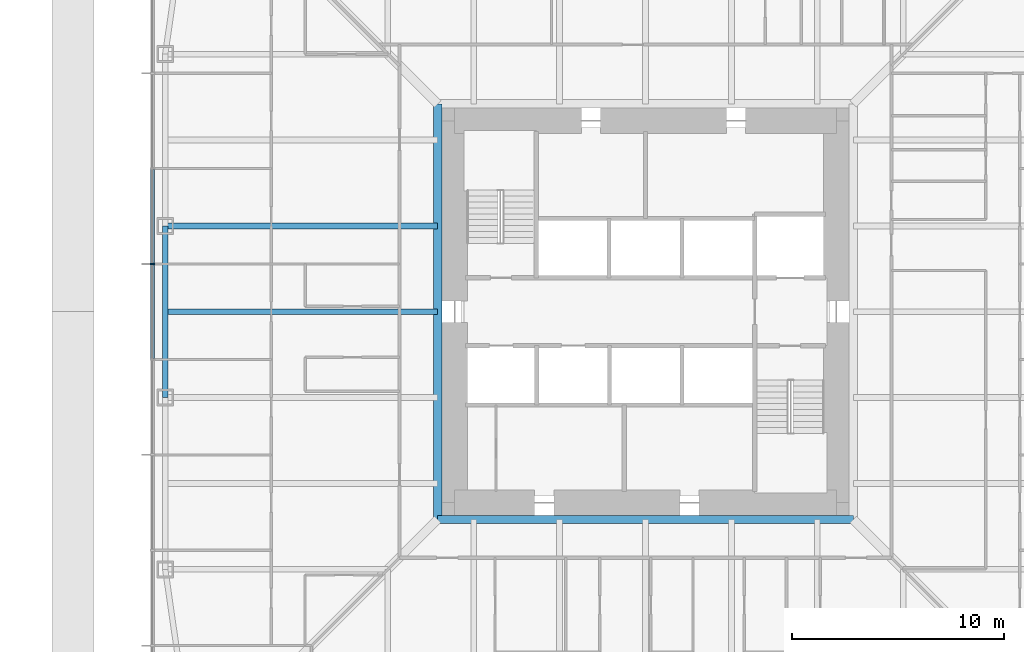
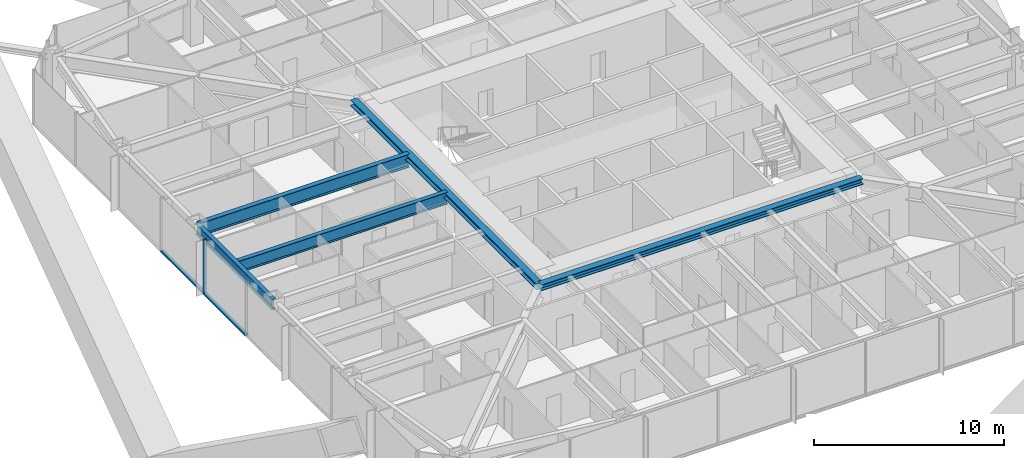
# One storey, part 4 of 28: 5 beams, 3 members, 1 element without a shape of its own.
"""IFC4 building model written with IfcOpenShell, lengths in metres."""

import ifcopenshell
import ifcopenshell.guid

model = None  # the IFC model being written
_history = None  # IfcOwnerHistory: only IFC2X3 demands one
_inside = {}  # id of a spatial element -> (the spatial element, [elements in it])
_under = {}  # id of a project, library or spatial element -> (it, [spatial elements below it])
_declared = {}  # id of a project -> (the project, [libraries it declares])
_typed = {}  # id of a type object -> (the type object, [elements of that type])
_made_of = {}  # id of a material, layer set ... -> (it, [elements and type objects made of it])


def new_model(schema):
    """Start an empty IFC model of exactly this schema.

    Asked for "IFC4X3", IfcOpenShell would pick the latest addendum, in which some entities
    have other attributes; the version numbers below select the first issue.
    IFC2X3 requires an IfcOwnerHistory on every rooted entity: one is made here for all.
    """
    global model, _history
    if schema == "IFC4X3":
        model = ifcopenshell.file(schema_version=(4, 3, 0, 0))
    else:
        model = ifcopenshell.file(schema=schema)
    _inside.clear()
    _under.clear()
    _declared.clear()
    _typed.clear()
    _made_of.clear()
    _history = None
    if model.schema == "IFC2X3":
        org = make("IfcOrganization", Name="unknown")
        user = make(
            "IfcPersonAndOrganization",
            ThePerson=make("IfcPerson", FamilyName="unknown"),
            TheOrganization=org,
        )
        app = make(
            "IfcApplication",
            ApplicationDeveloper=org,
            Version="unknown",
            ApplicationFullName="unknown",
            ApplicationIdentifier="unknown",
        )
        _history = make(
            "IfcOwnerHistory",
            OwningUser=user,
            OwningApplication=app,
            ChangeAction="ADDED",
            CreationDate=0,
        )
    return model


def make(cls, **values):
    """One entity of the class cls with the attributes given. An attribute that is None is left unset."""
    return model.create_entity(
        cls, **{name: value for name, value in values.items() if value is not None}
    )


def rooted(cls, **values):
    """An entity with a GlobalId (a new one), such as an element, a storey or a relation."""
    return make(cls, GlobalId=ifcopenshell.guid.new(), OwnerHistory=_history, **values)


def si_unit(unit_type, name, prefix=None):
    """IfcSIUnit, for example si_unit("LENGTHUNIT", "METRE", prefix="MILLI")."""
    return make("IfcSIUnit", UnitType=unit_type, Prefix=prefix, Name=name)


def assignment(units):
    """IfcUnitAssignment: the units of a project."""
    return None if units is None else make("IfcUnitAssignment", Units=units)


def point(xyz):
    """IfcCartesianPoint."""
    return None if xyz is None else make("IfcCartesianPoint", Coordinates=xyz)


def direction(xyz):
    """IfcDirection."""
    return None if xyz is None else make("IfcDirection", DirectionRatios=xyz)


def frame(location, z_axis=None, x_axis=None):
    """IfcAxis2Placement3D, a coordinate frame: its origin and axes. An axis left out is left unset."""
    return make(
        "IfcAxis2Placement3D",
        Location=point(location),
        Axis=direction(z_axis),
        RefDirection=direction(x_axis),
    )


def frame_2d(location, x_axis=None):
    """IfcAxis2Placement2D, a coordinate frame in the plane: its origin and x axis."""
    return make(
        "IfcAxis2Placement2D", Location=point(location), RefDirection=direction(x_axis)
    )


def origin():
    """The frame at (0, 0, 0) with its axes left unset."""
    return frame((0.0, 0.0, 0.0))


def origin_2d():
    """The frame at (0, 0) in the plane with its x axis left unset."""
    return frame_2d((0.0, 0.0))


def place(relative_to, where):
    """IfcLocalPlacement: puts the frame where relative to a parent placement (None: the world)."""
    return make(
        "IfcLocalPlacement", PlacementRelTo=relative_to, RelativePlacement=where
    )


def context(
    kind, dimensions, precision=None, world=None, true_north=None, identifier=None
):
    """IfcGeometricRepresentationContext, for example the 3D "Model" context."""
    return make(
        "IfcGeometricRepresentationContext",
        ContextIdentifier=identifier,
        ContextType=kind,
        CoordinateSpaceDimension=dimensions,
        Precision=precision,
        WorldCoordinateSystem=world,
        TrueNorth=true_north,
    )


def subcontext(parent, identifier, kind, view, scale=None):
    """IfcGeometricRepresentationSubContext, for example "Body" below "Model"."""
    return make(
        "IfcGeometricRepresentationSubContext",
        ContextIdentifier=identifier,
        ContextType=kind,
        ParentContext=parent,
        TargetScale=scale,
        TargetView=view,
    )


def project(units=None, contexts=None):
    """IfcProject with its units and contexts."""
    return rooted(
        "IfcProject",
        Name="project",
        RepresentationContexts=contexts,
        UnitsInContext=assignment(units),
    )


def spatial(cls, under=None, at=None, **own):
    """A site, building, storey or space (cls), placed at a placement, below another one or the project."""
    s = rooted(cls, ObjectPlacement=at, **own)
    if under is not None:
        _under.setdefault(under.id(), (under, []))[1].append(s)
    return s


def profile(cls, at=None, kind="AREA", **sizes):
    """A parametric profile (cls). Its sizes go by their IFC names, for example OverallWidth=200.0."""
    return make(cls, ProfileType=kind, Position=at, **sizes)


def rectangle(**sizes):
    """IfcRectangleProfileDef."""
    return profile("IfcRectangleProfileDef", **sizes)


def i_section(**sizes):
    """IfcIShapeProfileDef."""
    return profile("IfcIShapeProfileDef", **sizes)


def extrude(swept, where, along, depth):
    """IfcExtrudedAreaSolid: the profile swept, set in the frame where, extruded along a direction by depth."""
    return make(
        "IfcExtrudedAreaSolid",
        SweptArea=swept,
        Position=where,
        ExtrudedDirection=direction(along),
        Depth=depth,
    )


def shape(context_of_items, identifier, shape_type, items):
    """IfcShapeRepresentation: the items that make up one representation, for example the "Body"."""
    return make(
        "IfcShapeRepresentation",
        ContextOfItems=context_of_items,
        RepresentationIdentifier=identifier,
        RepresentationType=shape_type,
        Items=items,
    )


def material(Name=None, Category=None):
    """IfcMaterial."""
    return make("IfcMaterial", Name=Name, Category=Category)


def material_profile(
    of_material, cross_section, Name=None, Category=None, Priority=None
):
    """IfcMaterialProfile: a cross section and its material."""
    return make(
        "IfcMaterialProfile",
        Name=Name,
        Material=of_material,
        Profile=cross_section,
        Priority=Priority,
        Category=Category,
    )


def profile_set(profiles, Name=None, composite=None):
    """IfcMaterialProfileSet."""
    return make(
        "IfcMaterialProfileSet",
        Name=Name,
        MaterialProfiles=profiles,
        CompositeProfile=composite,
    )


def made_of(thing, what):
    """Note that an element or type object is made of a material, layer set ...; save() writes the relation."""
    if what is not None:
        _made_of.setdefault(what.id(), (what, []))[1].append(thing)
    return thing


def type_object(cls, material=None, **own):
    """A type object (cls), such as IfcWallType, which elements share."""
    return made_of(rooted(cls, **own), material)


def element(
    cls,
    number,
    at=None,
    inside=None,
    cuts=None,
    type_object=None,
    material=None,
    context=None,
    identifier="Body",
    shape_type=None,
    held_by="IfcProductDefinitionShape",
    body=None,
    shapes=None,
    **own,
):
    """One element of the class cls, such as IfcWall. Its Tag is "e" and its number.

    at: its placement. inside: the storey or other place that contains it. cuts: it is an
    opening in that element (IfcRelVoidsElement). A single representation is given by context,
    identifier, shape_type and body (its items); several are given by shapes. held_by: the class
    of the entity that holds the representations. save() writes the other relations.
    """
    e = rooted(cls, Tag="e%d" % number, ObjectPlacement=at, **own)
    if body is not None:
        shapes = [shape(context, identifier, shape_type, body)]
    if shapes is not None:
        e.Representation = make(held_by, Representations=shapes)
    if inside is not None:
        _inside.setdefault(inside.id(), (inside, []))[1].append(e)
    if cuts is not None:
        rooted(
            "IfcRelVoidsElement", RelatingBuildingElement=cuts, RelatedOpeningElement=e
        )
    if type_object is not None:
        _typed.setdefault(type_object.id(), (type_object, []))[1].append(e)
    return made_of(e, material)


def aggregate(whole, parts):
    """IfcRelAggregates: a whole, such as a stair, and the parts it consists of."""
    return rooted("IfcRelAggregates", RelatingObject=whole, RelatedObjects=parts)


def save(model, path):
    """Write the relations noted so far, then the file.

    IfcRelAggregates (storeys below a building ...), IfcRelContainedInSpatialStructure (elements
    in a storey), IfcRelDefinesByType, IfcRelAssociatesMaterial and IfcRelDeclares: one each for
    every whole, place, type object, material and project.
    """
    for whole, parts in _under.values():
        aggregate(whole, parts)
    for where, things in _inside.values():
        rooted(
            "IfcRelContainedInSpatialStructure",
            RelatedElements=things,
            RelatingStructure=where,
        )
    for kind, things in _typed.values():
        rooted("IfcRelDefinesByType", RelatedObjects=things, RelatingType=kind)
    for what, things in _made_of.values():
        rooted("IfcRelAssociatesMaterial", RelatedObjects=things, RelatingMaterial=what)
    for by, libraries in _declared.values():
        rooted("IfcRelDeclares", RelatingContext=by, RelatedDefinitions=libraries)
    model.write(path)


model = new_model("IFC4")

# Units and contexts
model_context = context("Model", 3, precision=1e-05, world=origin(), true_north=direction((0.0, 1.0)))
body_context = subcontext(model_context, "Body", "Model", "MODEL_VIEW")
ifc_project = project(units=[si_unit("LENGTHUNIT", "METRE"), si_unit("AREAUNIT", "SQUARE_METRE"), si_unit("VOLUMEUNIT", "CUBIC_METRE"), si_unit("PLANEANGLEUNIT", "RADIAN"), si_unit("MASSUNIT", "GRAM", prefix="KILO")], contexts=[model_context])

# Site, building, storey
site_placement = place(None, origin())
site = spatial("IfcSite", under=ifc_project, at=site_placement, CompositionType="ELEMENT")
building_placement = place(site_placement, origin())
building = spatial("IfcBuilding", under=site, at=building_placement, Name="Iwan Alto Co-Living Towers", CompositionType="ELEMENT")
storey_placement = place(building_placement, frame((0.0, 0.0, 64.0)))
storey = spatial("IfcBuildingStorey", under=building, at=storey_placement, Name="L17", CompositionType="ELEMENT", Elevation=64.0)

# Curtain wall, members
ifc_material_1 = material(Name="Bronze aluminium unitised frame", Category="aluminium")
curtain_wall_type = type_object("IfcCurtainWallType", Name="CURTAIN WALL CW-A", PredefinedType="NOTDEFINED", material=ifc_material_1)
curtain_wall_placement = place(storey_placement, origin())
curtain_wall = element("IfcCurtainWall", 1, at=curtain_wall_placement, inside=storey, type_object=curtain_wall_type, Name="T1 curtain wall W L17", PredefinedType="NOTDEFINED")
ifc_material_2 = material(Name="Aluminium 6063-T6 bronze anodised", Category="aluminium")
ifc_material_profile_1 = material_profile(ifc_material_2, rectangle(XDim=0.199951171875, YDim=0.080078125, at=origin_2d()), Name="AL 80X200")
ifc_profile_set_1 = profile_set([ifc_material_profile_1], Name="Aluminium 6063-T6 bronze anodised")
member_type_1 = type_object("IfcMemberType", Name="CW-A MULLION 80X200", PredefinedType="MULLION", material=ifc_profile_set_1)
member_1_placement = place(storey_placement, frame((-23.25, 2.25, 0.0), z_axis=(0.0, 0.0, 1.0), x_axis=(1.0, 0.0, 0.0)))
member_1 = element("IfcMember", 2, at=member_1_placement, type_object=member_type_1, Name="CW-A mullion 5", PredefinedType="MULLION", context=body_context, shape_type="SweptSolid", body=[
    extrude(rectangle(XDim=0.199951171875, YDim=0.080078125, at=origin_2d()), origin(), (0.0, 0.0, 1.0), 3.5),
])
ifc_material_3 = material(Name="Aluminium 6063-T6 bronze anodised", Category="aluminium")
ifc_material_profile_2 = material_profile(ifc_material_3, rectangle(XDim=0.199951171875, YDim=0.10009765625, at=origin_2d()), Name="AL 200X100")
ifc_profile_set_2 = profile_set([ifc_material_profile_2], Name="Aluminium 6063-T6 bronze anodised")
member_type_2 = type_object("IfcMemberType", Name="CW-A TRANSOM 200X100", PredefinedType="USERDEFINED", material=ifc_profile_set_2)
member_2_placement = place(storey_placement, frame((-23.25, 6.7099609375, 0.050048828125), z_axis=(0.0, -1.0, 0.0), x_axis=(1.0, 0.0, 0.0)))
member_2 = element("IfcMember", 3, at=member_2_placement, type_object=member_type_2, Name="CW-A transom 4.1", ObjectType="TRANSOM", PredefinedType="USERDEFINED", context=body_context, shape_type="SweptSolid", body=[
    extrude(rectangle(XDim=0.199951171875, YDim=0.10009765625, at=origin_2d()), origin(), (0.0, 0.0, 1.0), 4.419921875),
])
member_3_placement = place(storey_placement, frame((-23.25, 2.2099609375, 0.050048828125), z_axis=(0.0, -1.0, 0.0), x_axis=(1.0, 0.0, 0.0)))
member_3 = element("IfcMember", 4, at=member_3_placement, type_object=member_type_2, Name="CW-A transom 5.1", ObjectType="TRANSOM", PredefinedType="USERDEFINED", context=body_context, shape_type="SweptSolid", body=[
    extrude(rectangle(XDim=0.199951171875, YDim=0.10009765625, at=origin_2d()), origin(), (0.0, 0.0, 1.0), 4.419921875),
])
aggregate(curtain_wall, [member_1, member_2, member_3])

# Beams
ifc_material_4 = material(Name="Steel ASTM A992 Gr 50", Category="steel")
ifc_material_profile_3 = material_profile(ifc_material_4, i_section(OverallWidth=0.398681640625, OverallDepth=0.385986328125, WebThickness=0.02099609375, FlangeThickness=0.033203125, at=origin_2d()), Name="W14X176")
ifc_profile_set_3 = profile_set([ifc_material_profile_3], Name="Steel ASTM A992 Gr 50")
beam_type_1 = type_object("IfcBeamType", Name="T1 CORE LEDGER BEAM W14X176", PredefinedType="BEAM", material=ifc_profile_set_3)
for number, where, z_axis, x_axis, name in (
    (5, (-9.79931640625, -9.79931640625, 3.076904296875), (1.0, 0.0, 0.0), (0.0, 1.0, 0.0), "T1 core ledger beam S L18"),
    (6, (-9.79931640625, 9.79931640625, 3.076904296875), (0.0, -1.0, 0.0), (1.0, 0.0, 0.0), "T1 core ledger beam W L18"),
):
    element("IfcBeam", number, at=place(storey_placement, frame(where, z_axis=z_axis, x_axis=x_axis)), inside=storey, type_object=beam_type_1, Name=name, PredefinedType="BEAM", context=body_context, shape_type="SweptSolid", body=[
        extrude(i_section(OverallWidth=0.398681640625, OverallDepth=0.385986328125, WebThickness=0.02099609375, FlangeThickness=0.033203125, at=origin_2d()), origin(), (0.0, 0.0, 1.0), 19.5986328125),
    ])
ifc_material_5 = material(Name="Steel ASTM A992 Gr 50", Category="steel")
ifc_material_profile_4 = material_profile(ifc_material_5, i_section(OverallWidth=0.25390625, OverallDepth=0.683349609375, WebThickness=0.012451171875, FlangeThickness=0.018798828125, at=origin_2d()), Name="W27X94")
ifc_profile_set_4 = profile_set([ifc_material_profile_4], Name="Steel ASTM A992 Gr 50")
beam_type_2 = type_object("IfcBeamType", Name="T1 EDGE BEAM W27X94", PredefinedType="BEAM", material=ifc_profile_set_4)
beam_1_placement = place(storey_placement, frame((-22.64990234375, 4.050048828125, 2.928466796875), z_axis=(0.0, -1.0, 0.0), x_axis=(1.0, 0.0, 0.0)))
element("IfcBeam", 7, at=beam_1_placement, inside=storey, type_object=beam_type_2, Name="T1 edge beam W2 L18", PredefinedType="BEAM", context=body_context, shape_type="SweptSolid", body=[
    extrude(i_section(OverallWidth=0.25390625, OverallDepth=0.683349609375, WebThickness=0.012451171875, FlangeThickness=0.018798828125, at=origin_2d()), origin(), (0.0, 0.0, 1.0), 8.10009765625),
])
ifc_material_6 = material(Name="Steel ASTM A992 Gr 50", Category="steel")
ifc_material_profile_5 = material_profile(ifc_material_6, i_section(OverallWidth=0.2919921875, OverallDepth=0.8408203125, WebThickness=0.0146484375, FlangeThickness=0.021728515625, at=origin_2d()), Name="W33X130")
ifc_profile_set_5 = profile_set([ifc_material_profile_5], Name="Steel ASTM A992 Gr 50")
beam_type_3 = type_object("IfcBeamType", Name="T1 RADIAL BEAM W33X130", PredefinedType="BEAM", material=ifc_profile_set_5)
beam_2_placement = place(storey_placement, frame((-22.64990234375, 4.050048828125, 2.849609375), z_axis=(1.0, 0.0, 0.0), x_axis=(0.0, 1.0, 0.0)))
element("IfcBeam", 8, at=beam_2_placement, inside=storey, type_object=beam_type_3, Name="T1 radial beam W2 L18", PredefinedType="BEAM", context=body_context, shape_type="SweptSolid", body=[
    extrude(i_section(OverallWidth=0.2919921875, OverallDepth=0.8408203125, WebThickness=0.0146484375, FlangeThickness=0.021728515625, at=origin_2d()), origin(), (0.0, 0.0, 1.0), 12.8505859375),
])
ifc_material_7 = material(Name="Steel ASTM A992 Gr 50", Category="steel")
ifc_material_profile_6 = material_profile(ifc_material_7, i_section(OverallWidth=0.2666015625, OverallDepth=0.761962890625, WebThickness=0.014404296875, FlangeThickness=0.021484375, at=origin_2d()), Name="W30X116")
ifc_profile_set_6 = profile_set([ifc_material_profile_6], Name="Steel ASTM A992 Gr 50")
beam_type_4 = type_object("IfcBeamType", Name="T1 SECONDARY BEAM W30X116", PredefinedType="JOIST", material=ifc_profile_set_6)
beam_3_placement = place(storey_placement, frame((-22.64990234375, 0.0, 2.888916015625), z_axis=(1.0, 0.0, 0.0), x_axis=(0.0, 1.0, 0.0)))
element("IfcBeam", 9, at=beam_3_placement, inside=storey, type_object=beam_type_4, Name="T1 secondary beam W2 L18", PredefinedType="JOIST", context=body_context, shape_type="SweptSolid", body=[
    extrude(i_section(OverallWidth=0.2666015625, OverallDepth=0.761962890625, WebThickness=0.014404296875, FlangeThickness=0.021484375, at=origin_2d()), origin(), (0.0, 0.0, 1.0), 12.8505859375),
])

save(model, "model.ifc")
